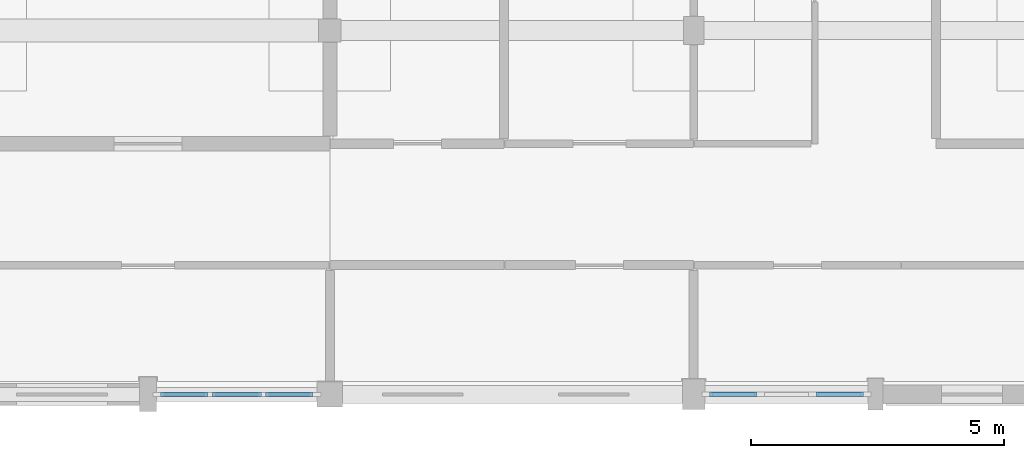
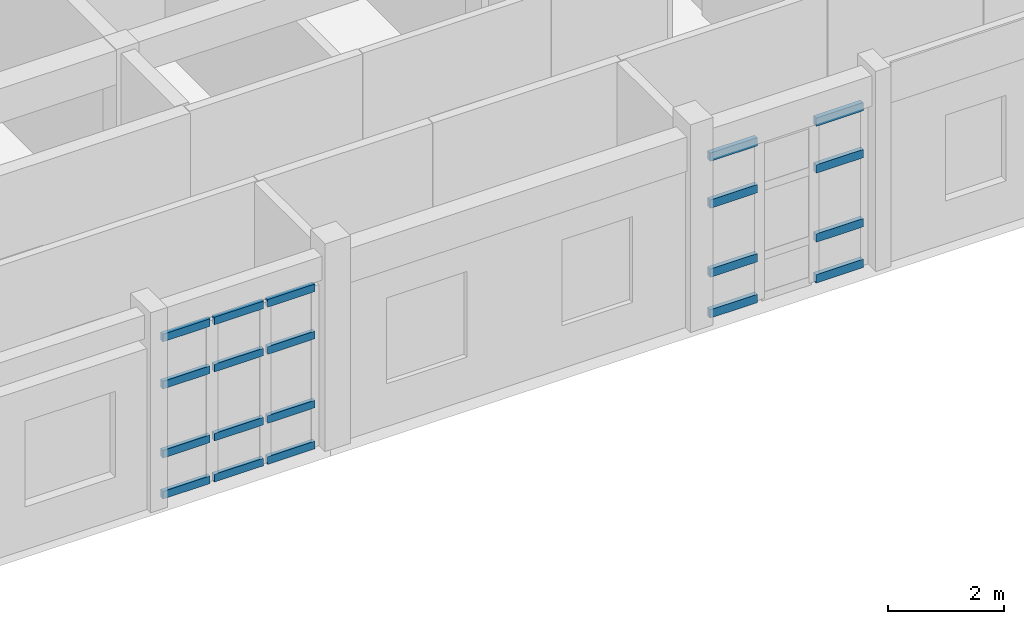
# One storey, part 56 of 110: 20 members, 2 elements without a shape of their own.
"""IFC4 building model written with IfcOpenShell, lengths in metres."""

from ifc_helpers import new_model, si_unit, direction, frame, origin, origin_2d, place, context, subcontext, project, spatial, rectangle, extrude, material, material_profile, profile_set, type_object, element, aggregate, save


model = new_model("IFC4")

# Units and contexts
model_context = context("Model", 3, precision=1e-05, world=origin(), true_north=direction((0.0, 1.0)))
body_context = subcontext(model_context, "Body", "Model", "MODEL_VIEW")
ifc_project = project(units=[si_unit("LENGTHUNIT", "METRE"), si_unit("AREAUNIT", "SQUARE_METRE"), si_unit("VOLUMEUNIT", "CUBIC_METRE"), si_unit("PLANEANGLEUNIT", "RADIAN"), si_unit("MASSUNIT", "GRAM", prefix="KILO")], contexts=[model_context])

# Site, building, storey
site_placement = place(None, origin())
site = spatial("IfcSite", under=ifc_project, at=site_placement, CompositionType="ELEMENT")
building_placement = place(site_placement, origin())
building = spatial("IfcBuilding", under=site, at=building_placement, Name="Steenspoor Specialist Clinic", CompositionType="ELEMENT")
storey_placement = place(building_placement, frame((0.0, 0.0, 4.800048828125)))
storey = spatial("IfcBuildingStorey", under=building, at=storey_placement, Name="L01", CompositionType="ELEMENT", Elevation=4.800048828125)

# Curtain wall, members
ifc_material_1 = material(Name="Thermally broken aluminium and low-emissivity glass", Category="aluminium")
curtain_wall_type_1 = type_object("IfcCurtainWallType", Name="CW-L00-480X415", PredefinedType="USERDEFINED", material=ifc_material_1)
curtain_wall_1_placement = place(storey_placement, origin())
curtain_wall_1 = element("IfcCurtainWall", 1, at=curtain_wall_1_placement, inside=storey, type_object=curtain_wall_type_1, Name="Unitised Curtain Wall CW-V2-L01-030", ObjectType="UNITISED GLAZING", PredefinedType="USERDEFINED")
ifc_material_2 = material(Name="Thermally broken aluminium 6063-T6", Category="aluminium")
ifc_material_profile_1 = material_profile(ifc_material_2, rectangle(XDim=0.080078125, YDim=0.159912109375, at=origin_2d()), Name="CWT-80X160")
ifc_profile_set_1 = profile_set([ifc_material_profile_1], Name="Thermally broken aluminium 6063-T6")
member_type_1 = type_object("IfcMemberType", Name="CW-TRAN-80X160", PredefinedType="USERDEFINED", material=ifc_profile_set_1)
member_1_placement = place(storey_placement, frame((139.27001953125, 13.050048828125, 0.0400390625), z_axis=(-1.0, 0.0, 0.0), x_axis=(0.0, -1.0, 0.0)))
member_1 = element("IfcMember", 2, at=member_1_placement, type_object=member_type_1, Name="CW-06 transom 1.1", ObjectType="TRANSOM", PredefinedType="USERDEFINED", context=body_context, shape_type="SweptSolid", body=[
    extrude(rectangle(XDim=0.080078125, YDim=0.159912109375, at=origin_2d()), origin(), (0.0, 0.0, 1.0), 0.93994140625),
])
member_2_placement = place(storey_placement, frame((139.27001953125, 13.050048828125, 0.89990234375), z_axis=(-1.0, 0.0, 0.0), x_axis=(0.0, -1.0, 0.0)))
member_2 = element("IfcMember", 3, at=member_2_placement, type_object=member_type_1, Name="CW-06 transom 1.2", ObjectType="TRANSOM", PredefinedType="USERDEFINED", context=body_context, shape_type="SweptSolid", body=[
    extrude(rectangle(XDim=0.080078125, YDim=0.159912109375, at=origin_2d()), origin(), (0.0, 0.0, 1.0), 0.93994140625),
])
member_3_placement = place(storey_placement, frame((139.27001953125, 13.050048828125, 2.349853515625), z_axis=(-1.0, 0.0, 0.0), x_axis=(0.0, -1.0, 0.0)))
member_3 = element("IfcMember", 4, at=member_3_placement, type_object=member_type_1, Name="CW-06 transom 1.3", ObjectType="TRANSOM", PredefinedType="USERDEFINED", context=body_context, shape_type="SweptSolid", body=[
    extrude(rectangle(XDim=0.080078125, YDim=0.159912109375, at=origin_2d()), origin(), (0.0, 0.0, 1.0), 0.93994140625),
])
member_4_placement = place(storey_placement, frame((139.27001953125, 13.050048828125, 3.33984375), z_axis=(-1.0, 0.0, 0.0), x_axis=(0.0, -1.0, 0.0)))
member_4 = element("IfcMember", 5, at=member_4_placement, type_object=member_type_1, Name="CW-06 transom 1.4", ObjectType="TRANSOM", PredefinedType="USERDEFINED", context=body_context, shape_type="SweptSolid", body=[
    extrude(rectangle(XDim=0.080078125, YDim=0.159912109375, at=origin_2d()), origin(), (0.0, 0.0, 1.0), 0.93994140625),
])
member_5_placement = place(storey_placement, frame((138.25, 13.050048828125, 0.0400390625), z_axis=(-1.0, 0.0, 0.0), x_axis=(0.0, -1.0, 0.0)))
member_5 = element("IfcMember", 6, at=member_5_placement, type_object=member_type_1, Name="CW-06 transom 2.1", ObjectType="TRANSOM", PredefinedType="USERDEFINED", context=body_context, shape_type="SweptSolid", body=[
    extrude(rectangle(XDim=0.080078125, YDim=0.159912109375, at=origin_2d()), origin(), (0.0, 0.0, 1.0), 0.97998046875),
])
member_6_placement = place(storey_placement, frame((138.25, 13.050048828125, 0.89990234375), z_axis=(-1.0, 0.0, 0.0), x_axis=(0.0, -1.0, 0.0)))
member_6 = element("IfcMember", 7, at=member_6_placement, type_object=member_type_1, Name="CW-06 transom 2.2", ObjectType="TRANSOM", PredefinedType="USERDEFINED", context=body_context, shape_type="SweptSolid", body=[
    extrude(rectangle(XDim=0.080078125, YDim=0.159912109375, at=origin_2d()), origin(), (0.0, 0.0, 1.0), 0.97998046875),
])
member_7_placement = place(storey_placement, frame((138.25, 13.050048828125, 2.349853515625), z_axis=(-1.0, 0.0, 0.0), x_axis=(0.0, -1.0, 0.0)))
member_7 = element("IfcMember", 8, at=member_7_placement, type_object=member_type_1, Name="CW-06 transom 2.3", ObjectType="TRANSOM", PredefinedType="USERDEFINED", context=body_context, shape_type="SweptSolid", body=[
    extrude(rectangle(XDim=0.080078125, YDim=0.159912109375, at=origin_2d()), origin(), (0.0, 0.0, 1.0), 0.97998046875),
])
member_8_placement = place(storey_placement, frame((138.25, 13.050048828125, 3.33984375), z_axis=(-1.0, 0.0, 0.0), x_axis=(0.0, -1.0, 0.0)))
member_8 = element("IfcMember", 9, at=member_8_placement, type_object=member_type_1, Name="CW-06 transom 2.4", ObjectType="TRANSOM", PredefinedType="USERDEFINED", context=body_context, shape_type="SweptSolid", body=[
    extrude(rectangle(XDim=0.080078125, YDim=0.159912109375, at=origin_2d()), origin(), (0.0, 0.0, 1.0), 0.97998046875),
])
member_9_placement = place(storey_placement, frame((137.18994140625, 13.050048828125, 0.0400390625), z_axis=(-1.0, 0.0, 0.0), x_axis=(0.0, -1.0, 0.0)))
member_9 = element("IfcMember", 10, at=member_9_placement, type_object=member_type_1, Name="CW-06 transom 3.1", ObjectType="TRANSOM", PredefinedType="USERDEFINED", context=body_context, shape_type="SweptSolid", body=[
    extrude(rectangle(XDim=0.080078125, YDim=0.159912109375, at=origin_2d()), origin(), (0.0, 0.0, 1.0), 0.93994140625),
])
member_10_placement = place(storey_placement, frame((137.18994140625, 13.050048828125, 0.89990234375), z_axis=(-1.0, 0.0, 0.0), x_axis=(0.0, -1.0, 0.0)))
member_10 = element("IfcMember", 11, at=member_10_placement, type_object=member_type_1, Name="CW-06 transom 3.2", ObjectType="TRANSOM", PredefinedType="USERDEFINED", context=body_context, shape_type="SweptSolid", body=[
    extrude(rectangle(XDim=0.080078125, YDim=0.159912109375, at=origin_2d()), origin(), (0.0, 0.0, 1.0), 0.93994140625),
])
member_11_placement = place(storey_placement, frame((137.18994140625, 13.050048828125, 2.349853515625), z_axis=(-1.0, 0.0, 0.0), x_axis=(0.0, -1.0, 0.0)))
member_11 = element("IfcMember", 12, at=member_11_placement, type_object=member_type_1, Name="CW-06 transom 3.3", ObjectType="TRANSOM", PredefinedType="USERDEFINED", context=body_context, shape_type="SweptSolid", body=[
    extrude(rectangle(XDim=0.080078125, YDim=0.159912109375, at=origin_2d()), origin(), (0.0, 0.0, 1.0), 0.93994140625),
])
member_12_placement = place(storey_placement, frame((137.18994140625, 13.050048828125, 3.33984375), z_axis=(-1.0, 0.0, 0.0), x_axis=(0.0, -1.0, 0.0)))
member_12 = element("IfcMember", 13, at=member_12_placement, type_object=member_type_1, Name="CW-06 transom 3.4", ObjectType="TRANSOM", PredefinedType="USERDEFINED", context=body_context, shape_type="SweptSolid", body=[
    extrude(rectangle(XDim=0.080078125, YDim=0.159912109375, at=origin_2d()), origin(), (0.0, 0.0, 1.0), 0.93994140625),
])
aggregate(curtain_wall_1, [member_1, member_2, member_3, member_4, member_5, member_6, member_7, member_8, member_9, member_10, member_11, member_12])

curtain_wall_type_2 = type_object("IfcCurtainWallType", Name="CW-L00-650X415", PredefinedType="USERDEFINED", material=ifc_material_1)
curtain_wall_2_placement = place(storey_placement, origin())
curtain_wall_2 = element("IfcCurtainWall", 14, at=curtain_wall_2_placement, inside=storey, type_object=curtain_wall_type_2, Name="Unitised Curtain Wall CW-V2-L01-029", ObjectType="UNITISED GLAZING", PredefinedType="USERDEFINED")
ifc_material_profile_2 = material_profile(ifc_material_2, rectangle(XDim=0.090087890625, YDim=0.175048828125, at=origin_2d()), Name="CWT-90X175")
ifc_profile_set_2 = profile_set([ifc_material_profile_2], Name="Thermally broken aluminium 6063-T6")
member_type_2 = type_object("IfcMemberType", Name="CW-TRAN-90X175", PredefinedType="USERDEFINED", material=ifc_profile_set_2)
member_13_placement = place(storey_placement, frame((150.159912109375, 13.050048828125, 0.044921875), z_axis=(-1.0, 0.0, 0.0), x_axis=(0.0, -1.0, 0.0)))
member_13 = element("IfcMember", 15, at=member_13_placement, type_object=member_type_2, Name="CW-05 transom 1.1", ObjectType="TRANSOM", PredefinedType="USERDEFINED", context=body_context, shape_type="SweptSolid", body=[
    extrude(rectangle(XDim=0.090087890625, YDim=0.175048828125, at=origin_2d()), origin(), (0.0, 0.0, 1.0), 0.93994140625),
])
member_14_placement = place(storey_placement, frame((150.159912109375, 13.050048828125, 0.89990234375), z_axis=(-1.0, 0.0, 0.0), x_axis=(0.0, -1.0, 0.0)))
member_14 = element("IfcMember", 16, at=member_14_placement, type_object=member_type_2, Name="CW-05 transom 1.2", ObjectType="TRANSOM", PredefinedType="USERDEFINED", context=body_context, shape_type="SweptSolid", body=[
    extrude(rectangle(XDim=0.090087890625, YDim=0.175048828125, at=origin_2d()), origin(), (0.0, 0.0, 1.0), 0.93994140625),
])
member_15_placement = place(storey_placement, frame((150.159912109375, 13.050048828125, 2.349853515625), z_axis=(-1.0, 0.0, 0.0), x_axis=(0.0, -1.0, 0.0)))
member_15 = element("IfcMember", 17, at=member_15_placement, type_object=member_type_2, Name="CW-05 transom 1.3", ObjectType="TRANSOM", PredefinedType="USERDEFINED", context=body_context, shape_type="SweptSolid", body=[
    extrude(rectangle(XDim=0.090087890625, YDim=0.175048828125, at=origin_2d()), origin(), (0.0, 0.0, 1.0), 0.93994140625),
])
member_16_placement = place(storey_placement, frame((150.159912109375, 13.050048828125, 3.3349609375), z_axis=(-1.0, 0.0, 0.0), x_axis=(0.0, -1.0, 0.0)))
member_16 = element("IfcMember", 18, at=member_16_placement, type_object=member_type_2, Name="CW-05 transom 1.4", ObjectType="TRANSOM", PredefinedType="USERDEFINED", context=body_context, shape_type="SweptSolid", body=[
    extrude(rectangle(XDim=0.090087890625, YDim=0.175048828125, at=origin_2d()), origin(), (0.0, 0.0, 1.0), 0.93994140625),
])
member_17_placement = place(storey_placement, frame((148.054931640625, 13.050048828125, 0.044921875), z_axis=(-1.0, 0.0, 0.0), x_axis=(0.0, -1.0, 0.0)))
member_17 = element("IfcMember", 19, at=member_17_placement, type_object=member_type_2, Name="CW-05 transom 3.1", ObjectType="TRANSOM", PredefinedType="USERDEFINED", context=body_context, shape_type="SweptSolid", body=[
    extrude(rectangle(XDim=0.090087890625, YDim=0.175048828125, at=origin_2d()), origin(), (0.0, 0.0, 1.0), 0.93994140625),
])
member_18_placement = place(storey_placement, frame((148.054931640625, 13.050048828125, 0.89990234375), z_axis=(-1.0, 0.0, 0.0), x_axis=(0.0, -1.0, 0.0)))
member_18 = element("IfcMember", 20, at=member_18_placement, type_object=member_type_2, Name="CW-05 transom 3.2", ObjectType="TRANSOM", PredefinedType="USERDEFINED", context=body_context, shape_type="SweptSolid", body=[
    extrude(rectangle(XDim=0.090087890625, YDim=0.175048828125, at=origin_2d()), origin(), (0.0, 0.0, 1.0), 0.93994140625),
])
member_19_placement = place(storey_placement, frame((148.054931640625, 13.050048828125, 2.349853515625), z_axis=(-1.0, 0.0, 0.0), x_axis=(0.0, -1.0, 0.0)))
member_19 = element("IfcMember", 21, at=member_19_placement, type_object=member_type_2, Name="CW-05 transom 3.3", ObjectType="TRANSOM", PredefinedType="USERDEFINED", context=body_context, shape_type="SweptSolid", body=[
    extrude(rectangle(XDim=0.090087890625, YDim=0.175048828125, at=origin_2d()), origin(), (0.0, 0.0, 1.0), 0.93994140625),
])
member_20_placement = place(storey_placement, frame((148.054931640625, 13.050048828125, 3.3349609375), z_axis=(-1.0, 0.0, 0.0), x_axis=(0.0, -1.0, 0.0)))
member_20 = element("IfcMember", 22, at=member_20_placement, type_object=member_type_2, Name="CW-05 transom 3.4", ObjectType="TRANSOM", PredefinedType="USERDEFINED", context=body_context, shape_type="SweptSolid", body=[
    extrude(rectangle(XDim=0.090087890625, YDim=0.175048828125, at=origin_2d()), origin(), (0.0, 0.0, 1.0), 0.93994140625),
])
aggregate(curtain_wall_2, [member_13, member_14, member_15, member_16, member_17, member_18, member_19, member_20])

save(model, "model.ifc")
